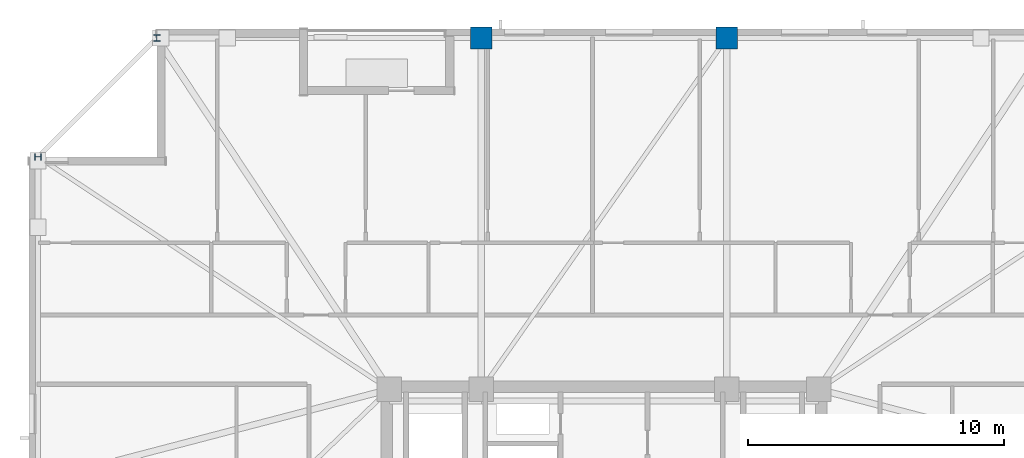
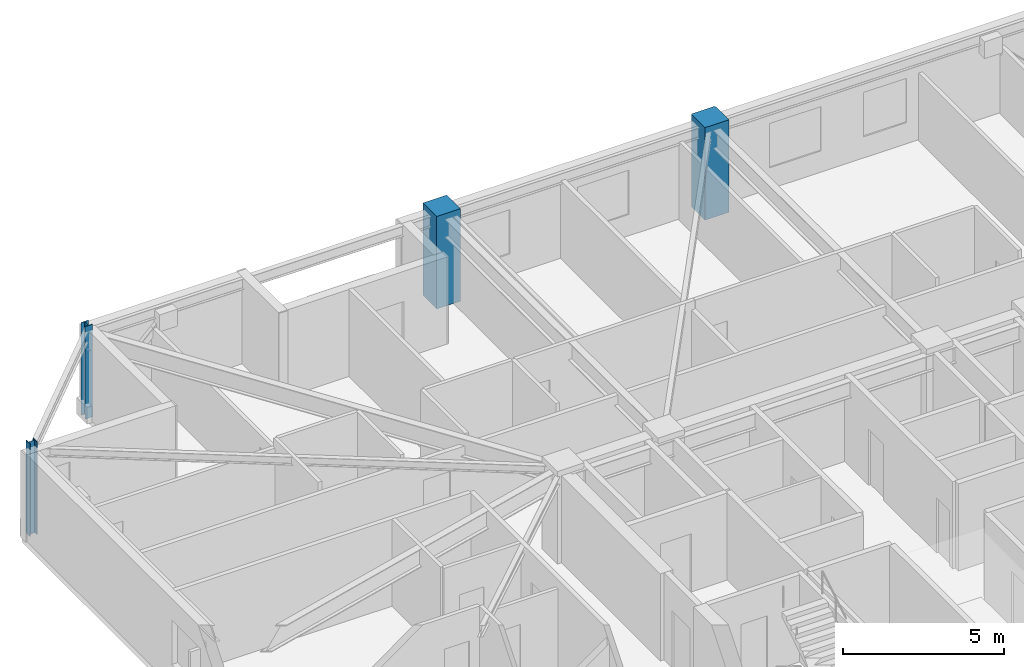
# One storey, part 4 of 17: 4 columns.
"""IFC4 building model written with IfcOpenShell, lengths in metres."""

from ifc_helpers import new_model, si_unit, direction, frame, origin, origin_2d, place, context, subcontext, project, spatial, rectangle, i_section, extrude, material, material_profile, profile_set, type_object, element, save


model = new_model("IFC4")

# Units and contexts
model_context = context("Model", 3, precision=1e-05, world=origin(), true_north=direction((0.0, 1.0)))
body_context = subcontext(model_context, "Body", "Model", "MODEL_VIEW")
ifc_project = project(units=[si_unit("LENGTHUNIT", "METRE"), si_unit("AREAUNIT", "SQUARE_METRE"), si_unit("VOLUMEUNIT", "CUBIC_METRE"), si_unit("PLANEANGLEUNIT", "RADIAN"), si_unit("MASSUNIT", "GRAM", prefix="KILO")], contexts=[model_context])

# Site, building, storey
site_placement = place(None, origin())
site = spatial("IfcSite", under=ifc_project, at=site_placement, CompositionType="ELEMENT")
building_placement = place(site_placement, origin())
building = spatial("IfcBuilding", under=site, at=building_placement, Name="Cairnveth Concourse Tower", CompositionType="ELEMENT")
storey_placement = place(building_placement, frame((0.0, 0.0, 220.0)))
storey = spatial("IfcBuildingStorey", under=building, at=storey_placement, Name="L60", CompositionType="ELEMENT", Elevation=220.0)

# Columns
ifc_material_1 = material(Name="Concrete N65 (65 MPa)", Category="concrete")
ifc_material_profile_1 = material_profile(ifc_material_1, rectangle(XDim=0.85009765625, YDim=0.85009765625, at=origin_2d()), Name="RC-COL-850x850")
ifc_profile_set_1 = profile_set([ifc_material_profile_1], Name="Concrete N65 (65 MPa)")
column_type_1 = type_object("IfcColumnType", Name="PERIMETER PIER COLUMN 850X850", PredefinedType="COLUMN", material=ifc_profile_set_1)
for number, where, z_axis, x_axis, name in (
    (1, (56.800048828125, 61.14990234375, 0.0), (0.0, 0.0, 1.0), (1.0, 0.0, 0.0), "Column P-N2 L60"),
    (2, (47.199951171875, 61.14990234375, 0.0), (0.0, 0.0, 1.0), (1.0, 0.0, 0.0), "Column P-N3 L60"),
):
    element("IfcColumn", number, at=place(storey_placement, frame(where, z_axis=z_axis, x_axis=x_axis)), inside=storey, type_object=column_type_1, Name=name, PredefinedType="COLUMN", context=body_context, shape_type="SweptSolid", body=[
        extrude(rectangle(XDim=0.85009765625, YDim=0.85009765625, at=origin_2d()), origin(), (0.0, 0.0, 1.0), 3.5),
    ])
ifc_material_2 = material(Name="Steel Grade 350", Category="steel")
ifc_material_profile_2 = material_profile(ifc_material_2, i_section(OverallWidth=0.256103515625, OverallDepth=0.260009765625, WebThickness=0.010498046875, FlangeThickness=0.017333984375, FilletRadius=0.012939453125, at=origin_2d()), Name="250UC89.5")
ifc_profile_set_2 = profile_set([ifc_material_profile_2], Name="Steel Grade 350")
column_type_2 = type_object("IfcColumnType", Name="UNIVERSAL STEEL COLUMN 250UC89.5", PredefinedType="COLUMN", material=ifc_profile_set_2)
for number, where, z_axis, x_axis, name in (
    (3, (34.5, 61.14990234375, 0.0), (0.0, 0.0, 1.0), (1.0, 0.0, 0.0), "Column P-N4 L60"),
    (4, (29.85009765625, 56.5, 0.0), (0.0, 0.0, 1.0), (0.0, 1.0, 0.0), "Column P-W1 L60"),
):
    element("IfcColumn", number, at=place(storey_placement, frame(where, z_axis=z_axis, x_axis=x_axis)), inside=storey, type_object=column_type_2, Name=name, PredefinedType="COLUMN", context=body_context, shape_type="SweptSolid", body=[
        extrude(i_section(OverallWidth=0.256103515625, OverallDepth=0.260009765625, WebThickness=0.010498046875, FlangeThickness=0.017333984375, FilletRadius=0.012939453125, at=origin_2d()), origin(), (0.0, 0.0, 1.0), 3.5),
    ])

save(model, "model.ifc")
